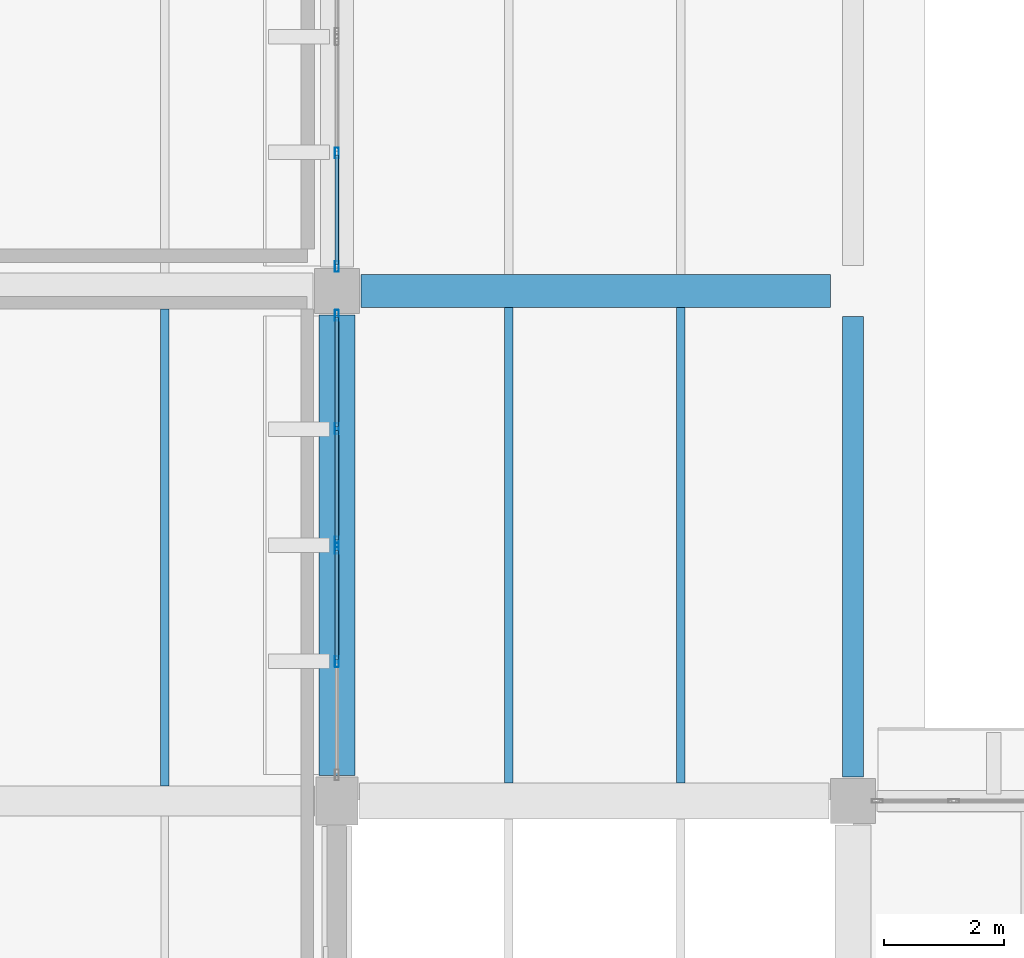
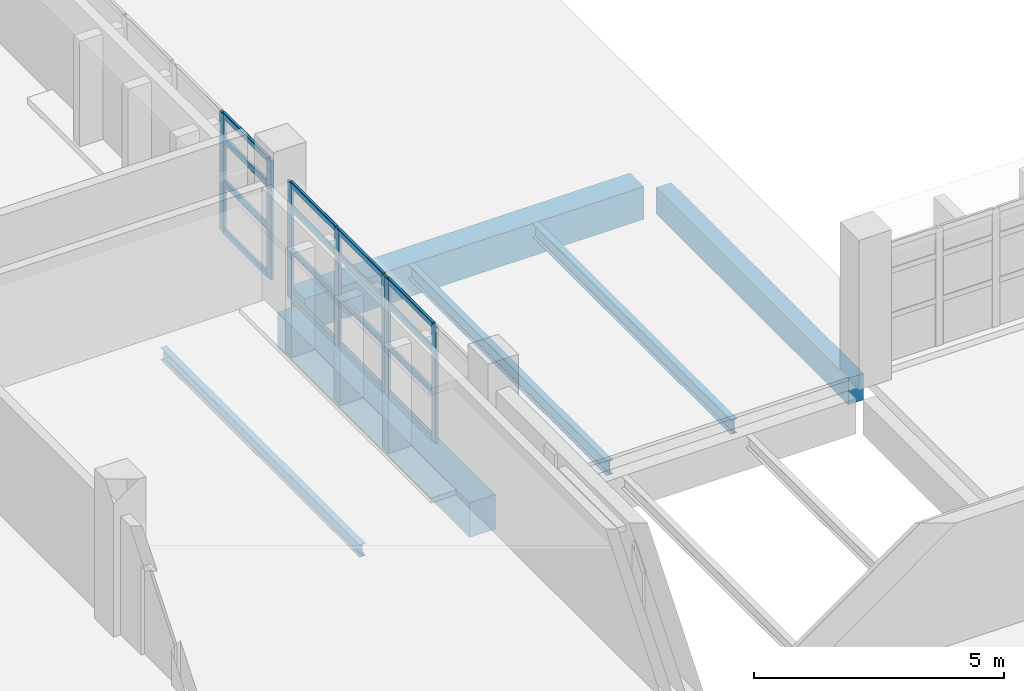
# One storey, part 27 of 80: 23 members, 6 beams, 3 elements without a shape of their own.
"""IFC4 building model written with IfcOpenShell, lengths in metres."""

import ifcopenshell
import ifcopenshell.guid

model = None  # the IFC model being written
_history = None  # IfcOwnerHistory: only IFC2X3 demands one
_inside = {}  # id of a spatial element -> (the spatial element, [elements in it])
_under = {}  # id of a project, library or spatial element -> (it, [spatial elements below it])
_declared = {}  # id of a project -> (the project, [libraries it declares])
_typed = {}  # id of a type object -> (the type object, [elements of that type])
_made_of = {}  # id of a material, layer set ... -> (it, [elements and type objects made of it])


def new_model(schema):
    """Start an empty IFC model of exactly this schema.

    Asked for "IFC4X3", IfcOpenShell would pick the latest addendum, in which some entities
    have other attributes; the version numbers below select the first issue.
    IFC2X3 requires an IfcOwnerHistory on every rooted entity: one is made here for all.
    """
    global model, _history
    if schema == "IFC4X3":
        model = ifcopenshell.file(schema_version=(4, 3, 0, 0))
    else:
        model = ifcopenshell.file(schema=schema)
    _inside.clear()
    _under.clear()
    _declared.clear()
    _typed.clear()
    _made_of.clear()
    _history = None
    if model.schema == "IFC2X3":
        org = make("IfcOrganization", Name="unknown")
        user = make(
            "IfcPersonAndOrganization",
            ThePerson=make("IfcPerson", FamilyName="unknown"),
            TheOrganization=org,
        )
        app = make(
            "IfcApplication",
            ApplicationDeveloper=org,
            Version="unknown",
            ApplicationFullName="unknown",
            ApplicationIdentifier="unknown",
        )
        _history = make(
            "IfcOwnerHistory",
            OwningUser=user,
            OwningApplication=app,
            ChangeAction="ADDED",
            CreationDate=0,
        )
    return model


def make(cls, **values):
    """One entity of the class cls with the attributes given. An attribute that is None is left unset."""
    return model.create_entity(
        cls, **{name: value for name, value in values.items() if value is not None}
    )


def rooted(cls, **values):
    """An entity with a GlobalId (a new one), such as an element, a storey or a relation."""
    return make(cls, GlobalId=ifcopenshell.guid.new(), OwnerHistory=_history, **values)


def si_unit(unit_type, name, prefix=None):
    """IfcSIUnit, for example si_unit("LENGTHUNIT", "METRE", prefix="MILLI")."""
    return make("IfcSIUnit", UnitType=unit_type, Prefix=prefix, Name=name)


def assignment(units):
    """IfcUnitAssignment: the units of a project."""
    return None if units is None else make("IfcUnitAssignment", Units=units)


def point(xyz):
    """IfcCartesianPoint."""
    return None if xyz is None else make("IfcCartesianPoint", Coordinates=xyz)


def direction(xyz):
    """IfcDirection."""
    return None if xyz is None else make("IfcDirection", DirectionRatios=xyz)


def frame(location, z_axis=None, x_axis=None):
    """IfcAxis2Placement3D, a coordinate frame: its origin and axes. An axis left out is left unset."""
    return make(
        "IfcAxis2Placement3D",
        Location=point(location),
        Axis=direction(z_axis),
        RefDirection=direction(x_axis),
    )


def frame_2d(location, x_axis=None):
    """IfcAxis2Placement2D, a coordinate frame in the plane: its origin and x axis."""
    return make(
        "IfcAxis2Placement2D", Location=point(location), RefDirection=direction(x_axis)
    )


def origin():
    """The frame at (0, 0, 0) with its axes left unset."""
    return frame((0.0, 0.0, 0.0))


def origin_2d():
    """The frame at (0, 0) in the plane with its x axis left unset."""
    return frame_2d((0.0, 0.0))


def place(relative_to, where):
    """IfcLocalPlacement: puts the frame where relative to a parent placement (None: the world)."""
    return make(
        "IfcLocalPlacement", PlacementRelTo=relative_to, RelativePlacement=where
    )


def context(
    kind, dimensions, precision=None, world=None, true_north=None, identifier=None
):
    """IfcGeometricRepresentationContext, for example the 3D "Model" context."""
    return make(
        "IfcGeometricRepresentationContext",
        ContextIdentifier=identifier,
        ContextType=kind,
        CoordinateSpaceDimension=dimensions,
        Precision=precision,
        WorldCoordinateSystem=world,
        TrueNorth=true_north,
    )


def subcontext(parent, identifier, kind, view, scale=None):
    """IfcGeometricRepresentationSubContext, for example "Body" below "Model"."""
    return make(
        "IfcGeometricRepresentationSubContext",
        ContextIdentifier=identifier,
        ContextType=kind,
        ParentContext=parent,
        TargetScale=scale,
        TargetView=view,
    )


def project(units=None, contexts=None):
    """IfcProject with its units and contexts."""
    return rooted(
        "IfcProject",
        Name="project",
        RepresentationContexts=contexts,
        UnitsInContext=assignment(units),
    )


def spatial(cls, under=None, at=None, **own):
    """A site, building, storey or space (cls), placed at a placement, below another one or the project."""
    s = rooted(cls, ObjectPlacement=at, **own)
    if under is not None:
        _under.setdefault(under.id(), (under, []))[1].append(s)
    return s


def profile(cls, at=None, kind="AREA", **sizes):
    """A parametric profile (cls). Its sizes go by their IFC names, for example OverallWidth=200.0."""
    return make(cls, ProfileType=kind, Position=at, **sizes)


def rectangle(**sizes):
    """IfcRectangleProfileDef."""
    return profile("IfcRectangleProfileDef", **sizes)


def hollow_rectangle(**sizes):
    """IfcRectangleHollowProfileDef."""
    return profile("IfcRectangleHollowProfileDef", **sizes)


def i_section(**sizes):
    """IfcIShapeProfileDef."""
    return profile("IfcIShapeProfileDef", **sizes)


def extrude(swept, where, along, depth):
    """IfcExtrudedAreaSolid: the profile swept, set in the frame where, extruded along a direction by depth."""
    return make(
        "IfcExtrudedAreaSolid",
        SweptArea=swept,
        Position=where,
        ExtrudedDirection=direction(along),
        Depth=depth,
    )


def shape(context_of_items, identifier, shape_type, items):
    """IfcShapeRepresentation: the items that make up one representation, for example the "Body"."""
    return make(
        "IfcShapeRepresentation",
        ContextOfItems=context_of_items,
        RepresentationIdentifier=identifier,
        RepresentationType=shape_type,
        Items=items,
    )


def material(Name=None, Category=None):
    """IfcMaterial."""
    return make("IfcMaterial", Name=Name, Category=Category)


def material_profile(
    of_material, cross_section, Name=None, Category=None, Priority=None
):
    """IfcMaterialProfile: a cross section and its material."""
    return make(
        "IfcMaterialProfile",
        Name=Name,
        Material=of_material,
        Profile=cross_section,
        Priority=Priority,
        Category=Category,
    )


def profile_set(profiles, Name=None, composite=None):
    """IfcMaterialProfileSet."""
    return make(
        "IfcMaterialProfileSet",
        Name=Name,
        MaterialProfiles=profiles,
        CompositeProfile=composite,
    )


def made_of(thing, what):
    """Note that an element or type object is made of a material, layer set ...; save() writes the relation."""
    if what is not None:
        _made_of.setdefault(what.id(), (what, []))[1].append(thing)
    return thing


def type_object(cls, material=None, **own):
    """A type object (cls), such as IfcWallType, which elements share."""
    return made_of(rooted(cls, **own), material)


def element(
    cls,
    number,
    at=None,
    inside=None,
    cuts=None,
    type_object=None,
    material=None,
    context=None,
    identifier="Body",
    shape_type=None,
    held_by="IfcProductDefinitionShape",
    body=None,
    shapes=None,
    **own,
):
    """One element of the class cls, such as IfcWall. Its Tag is "e" and its number.

    at: its placement. inside: the storey or other place that contains it. cuts: it is an
    opening in that element (IfcRelVoidsElement). A single representation is given by context,
    identifier, shape_type and body (its items); several are given by shapes. held_by: the class
    of the entity that holds the representations. save() writes the other relations.
    """
    e = rooted(cls, Tag="e%d" % number, ObjectPlacement=at, **own)
    if body is not None:
        shapes = [shape(context, identifier, shape_type, body)]
    if shapes is not None:
        e.Representation = make(held_by, Representations=shapes)
    if inside is not None:
        _inside.setdefault(inside.id(), (inside, []))[1].append(e)
    if cuts is not None:
        rooted(
            "IfcRelVoidsElement", RelatingBuildingElement=cuts, RelatedOpeningElement=e
        )
    if type_object is not None:
        _typed.setdefault(type_object.id(), (type_object, []))[1].append(e)
    return made_of(e, material)


def aggregate(whole, parts):
    """IfcRelAggregates: a whole, such as a stair, and the parts it consists of."""
    return rooted("IfcRelAggregates", RelatingObject=whole, RelatedObjects=parts)


def save(model, path):
    """Write the relations noted so far, then the file.

    IfcRelAggregates (storeys below a building ...), IfcRelContainedInSpatialStructure (elements
    in a storey), IfcRelDefinesByType, IfcRelAssociatesMaterial and IfcRelDeclares: one each for
    every whole, place, type object, material and project.
    """
    for whole, parts in _under.values():
        aggregate(whole, parts)
    for where, things in _inside.values():
        rooted(
            "IfcRelContainedInSpatialStructure",
            RelatedElements=things,
            RelatingStructure=where,
        )
    for kind, things in _typed.values():
        rooted("IfcRelDefinesByType", RelatedObjects=things, RelatingType=kind)
    for what, things in _made_of.values():
        rooted("IfcRelAssociatesMaterial", RelatedObjects=things, RelatingMaterial=what)
    for by, libraries in _declared.values():
        rooted("IfcRelDeclares", RelatingContext=by, RelatedDefinitions=libraries)
    model.write(path)


model = new_model("IFC4")

# Units and contexts
model_context = context("Model", 3, precision=1e-05, world=origin(), true_north=direction((0.0, 1.0)))
body_context = subcontext(model_context, "Body", "Model", "MODEL_VIEW")
ifc_project = project(units=[si_unit("LENGTHUNIT", "METRE"), si_unit("AREAUNIT", "SQUARE_METRE"), si_unit("VOLUMEUNIT", "CUBIC_METRE"), si_unit("PLANEANGLEUNIT", "RADIAN"), si_unit("MASSUNIT", "GRAM", prefix="KILO")], contexts=[model_context])

# Site, building, storey
site_placement = place(None, origin())
site = spatial("IfcSite", under=ifc_project, at=site_placement, CompositionType="ELEMENT")
building_placement = place(site_placement, origin())
building = spatial("IfcBuilding", under=site, at=building_placement, Name="Varnakota Cinema and Media Centre", CompositionType="ELEMENT")
storey_placement = place(building_placement, frame((0.0, 0.0, 4.5)))
storey = spatial("IfcBuildingStorey", under=building, at=storey_placement, Name="L01", CompositionType="ELEMENT", Elevation=4.5)

# Beams
ifc_material_1 = material(Name="Concrete M35", Category="concrete")
ifc_material_profile_1 = material_profile(ifc_material_1, rectangle(XDim=0.550048828125, YDim=0.800048828125, at=origin_2d()), Name="RCB 550x800")
ifc_profile_set_1 = profile_set([ifc_material_profile_1], Name="Concrete M35")
beam_type_1 = type_object("IfcBeamType", Name="BM-RC-550x800", PredefinedType="BEAM", material=ifc_profile_set_1)
beam_1_placement = place(storey_placement, frame((34.800048828125, 52.5, -0.64990234375), z_axis=(1.0, 0.0, 0.0), x_axis=(0.0, 1.0, 0.0)))
element("IfcBeam", 1, at=beam_1_placement, inside=storey, type_object=beam_type_1, Name="L01 girder E-F/7", PredefinedType="BEAM", context=body_context, shape_type="SweptSolid", body=[
    extrude(rectangle(XDim=0.550048828125, YDim=0.800048828125, at=origin_2d()), origin(), (0.0, 0.0, 1.0), 7.824951171875),
])
ifc_material_2 = material(Name="Concrete M35", Category="concrete")
ifc_material_profile_2 = material_profile(ifc_material_2, rectangle(XDim=0.60009765625, YDim=0.85009765625, at=origin_2d()), Name="RCB 600x850")
ifc_profile_set_2 = profile_set([ifc_material_profile_2], Name="Concrete M35")
beam_type_2 = type_object("IfcBeamType", Name="BM-RC-600x850", PredefinedType="BEAM", material=ifc_profile_set_2)
beam_2_placement = place(storey_placement, frame((34.39990234375, 44.425048828125, -0.675048828125), z_axis=(0.0, 1.0, 0.0), x_axis=(-1.0, 0.0, 0.0)))
element("IfcBeam", 2, at=beam_2_placement, inside=storey, type_object=beam_type_2, Name="L01 girder E/6-7", PredefinedType="BEAM", context=body_context, shape_type="SweptSolid", body=[
    extrude(rectangle(XDim=0.60009765625, YDim=0.85009765625, at=origin_2d()), origin(), (0.0, 0.0, 1.0), 7.675048828125),
])
ifc_material_3 = material(Name="Concrete M40", Category="concrete")
ifc_material_profile_3 = material_profile(ifc_material_3, rectangle(XDim=0.35009765625, YDim=0.64990234375, at=origin_2d()), Name="RCB 350x650")
ifc_profile_set_3 = profile_set([ifc_material_profile_3], Name="Concrete M40")
beam_type_3 = type_object("IfcBeamType", Name="BM-SP-350x650", PredefinedType="SPANDREL", material=ifc_profile_set_3)
beam_3_placement = place(storey_placement, frame((43.0, 44.39990234375, -0.574951171875), z_axis=(0.0, 1.0, 0.0), x_axis=(-1.0, 0.0, 0.0)))
element("IfcBeam", 3, at=beam_3_placement, inside=storey, type_object=beam_type_3, Name="L01 girder F/6-7", PredefinedType="SPANDREL", context=body_context, shape_type="SweptSolid", body=[
    extrude(rectangle(XDim=0.35009765625, YDim=0.64990234375, at=origin_2d()), origin(), (0.0, 0.0, 1.0), 7.675048828125),
])
ifc_material_4 = material(Name="Structural steel Grade 350 (E350)", Category="steel")
ifc_material_profile_4 = material_profile(ifc_material_4, i_section(OverallWidth=0.139892578125, OverallDepth=0.300048828125, WebThickness=0.0078125, FlangeThickness=0.01318359375, FilletRadius=0.013916015625, at=origin_2d()), Name="ISMB 300")
ifc_profile_set_4 = profile_set([ifc_material_profile_4], Name="Structural steel Grade 350 (E350)")
beam_type_4 = type_object("IfcBeamType", Name="BM-ST-ISMB300", PredefinedType="JOIST", material=ifc_profile_set_4)
beam_4_placement = place(storey_placement, frame((31.533203125, 44.25, -0.39990234375), z_axis=(0.0, 1.0, 0.0), x_axis=(-1.0, 0.0, 0.0)))
element("IfcBeam", 4, at=beam_4_placement, inside=storey, type_object=beam_type_4, Name="L01 steel joist D-E/6-7 #2", PredefinedType="JOIST", context=body_context, shape_type="SweptSolid", body=[
    extrude(i_section(OverallWidth=0.139892578125, OverallDepth=0.300048828125, WebThickness=0.0078125, FlangeThickness=0.01318359375, FilletRadius=0.013916015625, at=origin_2d()), origin(), (0.0, 0.0, 1.0), 7.949951171875),
])
ifc_material_5 = material(Name="Structural steel Grade 350 (E350)", Category="steel")
ifc_material_profile_5 = material_profile(ifc_material_5, i_section(OverallWidth=0.139892578125, OverallDepth=0.35009765625, WebThickness=0.008056640625, FlangeThickness=0.01416015625, FilletRadius=0.013916015625, at=origin_2d()), Name="ISMB 350")
ifc_profile_set_5 = profile_set([ifc_material_profile_5], Name="Structural steel Grade 350 (E350)")
beam_type_5 = type_object("IfcBeamType", Name="BM-ST-ISMB350", PredefinedType="JOIST", material=ifc_profile_set_5)
for number, where, z_axis, x_axis, name in (
    (5, (37.2666015625, 44.300048828125, -0.425048828125), (0.0, 1.0, 0.0), (-1.0, 0.0, 0.0), "L01 steel joist E-F/6-7 #1"),
    (6, (40.13330078125, 44.300048828125, -0.425048828125), (0.0, 1.0, 0.0), (-1.0, 0.0, 0.0), "L01 steel joist E-F/6-7 #2"),
):
    element("IfcBeam", number, at=place(storey_placement, frame(where, z_axis=z_axis, x_axis=x_axis)), inside=storey, type_object=beam_type_5, Name=name, PredefinedType="JOIST", context=body_context, shape_type="SweptSolid", body=[
        extrude(i_section(OverallWidth=0.139892578125, OverallDepth=0.35009765625, WebThickness=0.008056640625, FlangeThickness=0.01416015625, FilletRadius=0.013916015625, at=origin_2d()), origin(), (0.0, 0.0, 1.0), 7.925048828125),
    ])

# Curtain wall, members
ifc_material_6 = material(Name="Thermally broken anodised aluminium AW-6063", Category="aluminium")
curtain_wall_type_1 = type_object("IfcCurtainWallType", Name="CW-STD-384x284", PredefinedType="USERDEFINED", material=ifc_material_6)
curtain_wall_1_placement = place(storey_placement, origin())
curtain_wall_1 = element("IfcCurtainWall", 7, at=curtain_wall_1_placement, inside=storey, type_object=curtain_wall_type_1, Name="L01 curtain wall CW-L01-V5-E-02-1", ObjectType="UNITISED CURTAIN WALL", PredefinedType="USERDEFINED")
ifc_material_7 = material(Name="Thermally broken anodised aluminium AW-6063", Category="aluminium")
ifc_material_profile_6 = material_profile(ifc_material_7, hollow_rectangle(XDim=0.06494140625, YDim=0.179931640625, WallThickness=0.00390625, InnerFilletRadius=0.00390625, OuterFilletRadius=0.008056640625, at=origin_2d()), Name="AL-MULLION 180x65x4")
ifc_profile_set_6 = profile_set([ifc_material_profile_6], Name="Thermally broken anodised aluminium AW-6063")
member_type_1 = type_object("IfcMemberType", Name="CWM-AL-180", PredefinedType="MULLION", material=ifc_profile_set_6)
member_1_placement = place(storey_placement, frame((34.39990234375, 46.3212890625, 0.0), z_axis=(0.0, 0.0, 1.0), x_axis=(-1.0, 0.0, 0.0)))
member_1 = element("IfcMember", 8, at=member_1_placement, type_object=member_type_1, Name="CW25 mullion 2", PredefinedType="MULLION", context=body_context, shape_type="SweptSolid", body=[
    extrude(hollow_rectangle(XDim=0.06494140625, YDim=0.179931640625, WallThickness=0.00390625, InnerFilletRadius=0.00390625, OuterFilletRadius=0.008056640625, at=origin_2d()), origin(), (0.0, 0.0, 1.0), 2.8349609375),
])
member_2_placement = place(storey_placement, frame((34.39990234375, 48.2099609375, 0.0), z_axis=(0.0, 0.0, 1.0), x_axis=(-1.0, 0.0, 0.0)))
member_2 = element("IfcMember", 9, at=member_2_placement, type_object=member_type_1, Name="CW25 mullion 3", PredefinedType="MULLION", context=body_context, shape_type="SweptSolid", body=[
    extrude(hollow_rectangle(XDim=0.06494140625, YDim=0.179931640625, WallThickness=0.00390625, InnerFilletRadius=0.00390625, OuterFilletRadius=0.008056640625, at=origin_2d()), origin(), (0.0, 0.0, 1.0), 2.8349609375),
])

curtain_wall_2_placement = place(storey_placement, origin())
curtain_wall_2 = element("IfcCurtainWall", 10, at=curtain_wall_2_placement, inside=storey, type_object=curtain_wall_type_1, Name="L01 curtain wall CW-L01-V5-E-02-2", ObjectType="UNITISED CURTAIN WALL", PredefinedType="USERDEFINED")
member_3_placement = place(storey_placement, frame((34.39990234375, 48.31494140625, 0.0), z_axis=(0.0, 0.0, 1.0), x_axis=(-1.0, 0.0, 0.0)))
member_3 = element("IfcMember", 11, at=member_3_placement, type_object=member_type_1, Name="CW25 mullion 1", PredefinedType="MULLION", context=body_context, shape_type="SweptSolid", body=[
    extrude(hollow_rectangle(XDim=0.06494140625, YDim=0.179931640625, WallThickness=0.00390625, InnerFilletRadius=0.00390625, OuterFilletRadius=0.008056640625, at=origin_2d()), origin(), (0.0, 0.0, 1.0), 2.8349609375),
])
member_4_placement = place(storey_placement, frame((34.39990234375, 50.203857421875, 0.0), z_axis=(0.0, 0.0, 1.0), x_axis=(-1.0, 0.0, 0.0)))
member_4 = element("IfcMember", 12, at=member_4_placement, type_object=member_type_1, Name="CW25 mullion 2", PredefinedType="MULLION", context=body_context, shape_type="SweptSolid", body=[
    extrude(hollow_rectangle(XDim=0.06494140625, YDim=0.179931640625, WallThickness=0.00390625, InnerFilletRadius=0.00390625, OuterFilletRadius=0.008056640625, at=origin_2d()), origin(), (0.0, 0.0, 1.0), 2.8349609375),
])
member_5_placement = place(storey_placement, frame((34.39990234375, 52.092529296875, 0.0), z_axis=(0.0, 0.0, 1.0), x_axis=(-1.0, 0.0, 0.0)))
member_5 = element("IfcMember", 13, at=member_5_placement, type_object=member_type_1, Name="CW25 mullion 3", PredefinedType="MULLION", context=body_context, shape_type="SweptSolid", body=[
    extrude(hollow_rectangle(XDim=0.06494140625, YDim=0.179931640625, WallThickness=0.00390625, InnerFilletRadius=0.00390625, OuterFilletRadius=0.008056640625, at=origin_2d()), origin(), (0.0, 0.0, 1.0), 2.8349609375),
])

ifc_material_8 = material(Name="Thermally broken anodised aluminium AW-6063", Category="aluminium")
curtain_wall_type_2 = type_object("IfcCurtainWallType", Name="CW-STD-384x288", PredefinedType="USERDEFINED", material=ifc_material_8)
curtain_wall_3_placement = place(storey_placement, origin())
curtain_wall_3 = element("IfcCurtainWall", 14, at=curtain_wall_3_placement, inside=storey, type_object=curtain_wall_type_2, Name="L01 curtain wall CW-L01-V5-E-03-1", ObjectType="UNITISED CURTAIN WALL", PredefinedType="USERDEFINED")
member_6_placement = place(storey_placement, frame((34.39990234375, 52.907470703125, 0.0), z_axis=(0.0, 0.0, 1.0), x_axis=(-1.0, 0.0, 0.0)))
member_6 = element("IfcMember", 15, at=member_6_placement, type_object=member_type_1, Name="CW26 mullion 1", PredefinedType="MULLION", context=body_context, shape_type="SweptSolid", body=[
    extrude(hollow_rectangle(XDim=0.06494140625, YDim=0.179931640625, WallThickness=0.00390625, InnerFilletRadius=0.00390625, OuterFilletRadius=0.008056640625, at=origin_2d()), origin(), (0.0, 0.0, 1.0), 2.885009765625),
])
member_7_placement = place(storey_placement, frame((34.39990234375, 54.796142578125, 0.0), z_axis=(0.0, 0.0, 1.0), x_axis=(-1.0, 0.0, 0.0)))
member_7 = element("IfcMember", 16, at=member_7_placement, type_object=member_type_1, Name="CW26 mullion 2", PredefinedType="MULLION", context=body_context, shape_type="SweptSolid", body=[
    extrude(hollow_rectangle(XDim=0.06494140625, YDim=0.179931640625, WallThickness=0.00390625, InnerFilletRadius=0.00390625, OuterFilletRadius=0.008056640625, at=origin_2d()), origin(), (0.0, 0.0, 1.0), 2.885009765625),
])

# Member
ifc_material_9 = material(Name="Thermally broken anodised aluminium AW-6063", Category="aluminium")
ifc_material_profile_7 = material_profile(ifc_material_9, hollow_rectangle(XDim=0.06494140625, YDim=0.139892578125, WallThickness=0.00390625, InnerFilletRadius=0.00390625, OuterFilletRadius=0.008056640625, at=origin_2d()), Name="AL-TRANSOM 140x65x4")
ifc_profile_set_7 = profile_set([ifc_material_profile_7], Name="Thermally broken anodised aluminium AW-6063")
member_type_2 = type_object("IfcMemberType", Name="CWT-AL-140", PredefinedType="USERDEFINED", material=ifc_profile_set_7)
member_8_placement = place(storey_placement, frame((34.39990234375, 46.353759765625, 0.032470703125), z_axis=(0.0, 1.0, 0.0), x_axis=(-1.0, 0.0, 0.0)))
member_8 = element("IfcMember", 17, at=member_8_placement, type_object=member_type_2, Name="CW25 transom 2.1", ObjectType="TRANSOM", PredefinedType="USERDEFINED", context=body_context, shape_type="SweptSolid", body=[
    extrude(hollow_rectangle(XDim=0.06494140625, YDim=0.139892578125, WallThickness=0.00390625, InnerFilletRadius=0.00390625, OuterFilletRadius=0.008056640625, at=origin_2d()), origin(), (0.0, 0.0, 1.0), 1.82373046875),
])

member_9_placement = place(storey_placement, frame((34.39990234375, 46.353759765625, 1.190673828125), z_axis=(0.0, 1.0, 0.0), x_axis=(-1.0, 0.0, 0.0)))
member_9 = element("IfcMember", 18, at=member_9_placement, type_object=member_type_2, Name="CW25 transom 2.2", ObjectType="TRANSOM", PredefinedType="USERDEFINED", context=body_context, shape_type="SweptSolid", body=[
    extrude(hollow_rectangle(XDim=0.06494140625, YDim=0.139892578125, WallThickness=0.00390625, InnerFilletRadius=0.00390625, OuterFilletRadius=0.008056640625, at=origin_2d()), origin(), (0.0, 0.0, 1.0), 1.82373046875),
])

member_10_placement = place(storey_placement, frame((34.39990234375, 46.353759765625, 2.211181640625), z_axis=(0.0, 1.0, 0.0), x_axis=(-1.0, 0.0, 0.0)))
member_10 = element("IfcMember", 19, at=member_10_placement, type_object=member_type_2, Name="CW25 transom 2.3", ObjectType="TRANSOM", PredefinedType="USERDEFINED", context=body_context, shape_type="SweptSolid", body=[
    extrude(hollow_rectangle(XDim=0.06494140625, YDim=0.139892578125, WallThickness=0.00390625, InnerFilletRadius=0.00390625, OuterFilletRadius=0.008056640625, at=origin_2d()), origin(), (0.0, 0.0, 1.0), 1.82373046875),
])

member_11_placement = place(storey_placement, frame((34.39990234375, 46.353759765625, 2.802490234375), z_axis=(0.0, 1.0, 0.0), x_axis=(-1.0, 0.0, 0.0)))
member_11 = element("IfcMember", 20, at=member_11_placement, type_object=member_type_2, Name="CW25 transom 2.4", ObjectType="TRANSOM", PredefinedType="USERDEFINED", context=body_context, shape_type="SweptSolid", body=[
    extrude(hollow_rectangle(XDim=0.06494140625, YDim=0.139892578125, WallThickness=0.00390625, InnerFilletRadius=0.00390625, OuterFilletRadius=0.008056640625, at=origin_2d()), origin(), (0.0, 0.0, 1.0), 1.82373046875),
])

aggregate(curtain_wall_1, [member_1, member_2, member_8, member_9, member_10, member_11])

member_12_placement = place(storey_placement, frame((34.39990234375, 48.347412109375, 0.032470703125), z_axis=(0.0, 1.0, 0.0), x_axis=(-1.0, 0.0, 0.0)))
member_12 = element("IfcMember", 21, at=member_12_placement, type_object=member_type_2, Name="CW25 transom 1.1", ObjectType="TRANSOM", PredefinedType="USERDEFINED", context=body_context, shape_type="SweptSolid", body=[
    extrude(hollow_rectangle(XDim=0.06494140625, YDim=0.139892578125, WallThickness=0.00390625, InnerFilletRadius=0.00390625, OuterFilletRadius=0.008056640625, at=origin_2d()), origin(), (0.0, 0.0, 1.0), 1.82373046875),
])

member_13_placement = place(storey_placement, frame((34.39990234375, 48.347412109375, 1.190673828125), z_axis=(0.0, 1.0, 0.0), x_axis=(-1.0, 0.0, 0.0)))
member_13 = element("IfcMember", 22, at=member_13_placement, type_object=member_type_2, Name="CW25 transom 1.2", ObjectType="TRANSOM", PredefinedType="USERDEFINED", context=body_context, shape_type="SweptSolid", body=[
    extrude(hollow_rectangle(XDim=0.06494140625, YDim=0.139892578125, WallThickness=0.00390625, InnerFilletRadius=0.00390625, OuterFilletRadius=0.008056640625, at=origin_2d()), origin(), (0.0, 0.0, 1.0), 1.82373046875),
])

member_14_placement = place(storey_placement, frame((34.39990234375, 48.347412109375, 2.211181640625), z_axis=(0.0, 1.0, 0.0), x_axis=(-1.0, 0.0, 0.0)))
member_14 = element("IfcMember", 23, at=member_14_placement, type_object=member_type_2, Name="CW25 transom 1.3", ObjectType="TRANSOM", PredefinedType="USERDEFINED", context=body_context, shape_type="SweptSolid", body=[
    extrude(hollow_rectangle(XDim=0.06494140625, YDim=0.139892578125, WallThickness=0.00390625, InnerFilletRadius=0.00390625, OuterFilletRadius=0.008056640625, at=origin_2d()), origin(), (0.0, 0.0, 1.0), 1.82373046875),
])

member_15_placement = place(storey_placement, frame((34.39990234375, 48.347412109375, 2.802490234375), z_axis=(0.0, 1.0, 0.0), x_axis=(-1.0, 0.0, 0.0)))
member_15 = element("IfcMember", 24, at=member_15_placement, type_object=member_type_2, Name="CW25 transom 1.4", ObjectType="TRANSOM", PredefinedType="USERDEFINED", context=body_context, shape_type="SweptSolid", body=[
    extrude(hollow_rectangle(XDim=0.06494140625, YDim=0.139892578125, WallThickness=0.00390625, InnerFilletRadius=0.00390625, OuterFilletRadius=0.008056640625, at=origin_2d()), origin(), (0.0, 0.0, 1.0), 1.82373046875),
])

member_16_placement = place(storey_placement, frame((34.39990234375, 50.236328125, 0.032470703125), z_axis=(0.0, 1.0, 0.0), x_axis=(-1.0, 0.0, 0.0)))
member_16 = element("IfcMember", 25, at=member_16_placement, type_object=member_type_2, Name="CW25 transom 2.1", ObjectType="TRANSOM", PredefinedType="USERDEFINED", context=body_context, shape_type="SweptSolid", body=[
    extrude(hollow_rectangle(XDim=0.06494140625, YDim=0.139892578125, WallThickness=0.00390625, InnerFilletRadius=0.00390625, OuterFilletRadius=0.008056640625, at=origin_2d()), origin(), (0.0, 0.0, 1.0), 1.82373046875),
])

member_17_placement = place(storey_placement, frame((34.39990234375, 50.236328125, 1.190673828125), z_axis=(0.0, 1.0, 0.0), x_axis=(-1.0, 0.0, 0.0)))
member_17 = element("IfcMember", 26, at=member_17_placement, type_object=member_type_2, Name="CW25 transom 2.2", ObjectType="TRANSOM", PredefinedType="USERDEFINED", context=body_context, shape_type="SweptSolid", body=[
    extrude(hollow_rectangle(XDim=0.06494140625, YDim=0.139892578125, WallThickness=0.00390625, InnerFilletRadius=0.00390625, OuterFilletRadius=0.008056640625, at=origin_2d()), origin(), (0.0, 0.0, 1.0), 1.82373046875),
])

member_18_placement = place(storey_placement, frame((34.39990234375, 50.236328125, 2.211181640625), z_axis=(0.0, 1.0, 0.0), x_axis=(-1.0, 0.0, 0.0)))
member_18 = element("IfcMember", 27, at=member_18_placement, type_object=member_type_2, Name="CW25 transom 2.3", ObjectType="TRANSOM", PredefinedType="USERDEFINED", context=body_context, shape_type="SweptSolid", body=[
    extrude(hollow_rectangle(XDim=0.06494140625, YDim=0.139892578125, WallThickness=0.00390625, InnerFilletRadius=0.00390625, OuterFilletRadius=0.008056640625, at=origin_2d()), origin(), (0.0, 0.0, 1.0), 1.82373046875),
])

member_19_placement = place(storey_placement, frame((34.39990234375, 50.236328125, 2.802490234375), z_axis=(0.0, 1.0, 0.0), x_axis=(-1.0, 0.0, 0.0)))
member_19 = element("IfcMember", 28, at=member_19_placement, type_object=member_type_2, Name="CW25 transom 2.4", ObjectType="TRANSOM", PredefinedType="USERDEFINED", context=body_context, shape_type="SweptSolid", body=[
    extrude(hollow_rectangle(XDim=0.06494140625, YDim=0.139892578125, WallThickness=0.00390625, InnerFilletRadius=0.00390625, OuterFilletRadius=0.008056640625, at=origin_2d()), origin(), (0.0, 0.0, 1.0), 1.82373046875),
])

aggregate(curtain_wall_2, [member_3, member_4, member_5, member_12, member_13, member_14, member_15, member_16, member_17, member_18, member_19])

member_20_placement = place(storey_placement, frame((34.39990234375, 52.93994140625, 0.032470703125), z_axis=(0.0, 1.0, 0.0), x_axis=(-1.0, 0.0, 0.0)))
member_20 = element("IfcMember", 29, at=member_20_placement, type_object=member_type_2, Name="CW26 transom 1.1", ObjectType="TRANSOM", PredefinedType="USERDEFINED", context=body_context, shape_type="SweptSolid", body=[
    extrude(hollow_rectangle(XDim=0.06494140625, YDim=0.139892578125, WallThickness=0.00390625, InnerFilletRadius=0.00390625, OuterFilletRadius=0.008056640625, at=origin_2d()), origin(), (0.0, 0.0, 1.0), 1.82373046875),
])

member_21_placement = place(storey_placement, frame((34.39990234375, 52.93994140625, 1.211669921875), z_axis=(0.0, 1.0, 0.0), x_axis=(-1.0, 0.0, 0.0)))
member_21 = element("IfcMember", 30, at=member_21_placement, type_object=member_type_2, Name="CW26 transom 1.2", ObjectType="TRANSOM", PredefinedType="USERDEFINED", context=body_context, shape_type="SweptSolid", body=[
    extrude(hollow_rectangle(XDim=0.06494140625, YDim=0.139892578125, WallThickness=0.00390625, InnerFilletRadius=0.00390625, OuterFilletRadius=0.008056640625, at=origin_2d()), origin(), (0.0, 0.0, 1.0), 1.82373046875),
])

member_22_placement = place(storey_placement, frame((34.39990234375, 52.93994140625, 2.250244140625), z_axis=(0.0, 1.0, 0.0), x_axis=(-1.0, 0.0, 0.0)))
member_22 = element("IfcMember", 31, at=member_22_placement, type_object=member_type_2, Name="CW26 transom 1.3", ObjectType="TRANSOM", PredefinedType="USERDEFINED", context=body_context, shape_type="SweptSolid", body=[
    extrude(hollow_rectangle(XDim=0.06494140625, YDim=0.139892578125, WallThickness=0.00390625, InnerFilletRadius=0.00390625, OuterFilletRadius=0.008056640625, at=origin_2d()), origin(), (0.0, 0.0, 1.0), 1.82373046875),
])

member_23_placement = place(storey_placement, frame((34.39990234375, 52.93994140625, 2.8525390625), z_axis=(0.0, 1.0, 0.0), x_axis=(-1.0, 0.0, 0.0)))
member_23 = element("IfcMember", 32, at=member_23_placement, type_object=member_type_2, Name="CW26 transom 1.4", ObjectType="TRANSOM", PredefinedType="USERDEFINED", context=body_context, shape_type="SweptSolid", body=[
    extrude(hollow_rectangle(XDim=0.06494140625, YDim=0.139892578125, WallThickness=0.00390625, InnerFilletRadius=0.00390625, OuterFilletRadius=0.008056640625, at=origin_2d()), origin(), (0.0, 0.0, 1.0), 1.82373046875),
])

aggregate(curtain_wall_3, [member_6, member_7, member_20, member_21, member_22, member_23])

save(model, "model.ifc")
